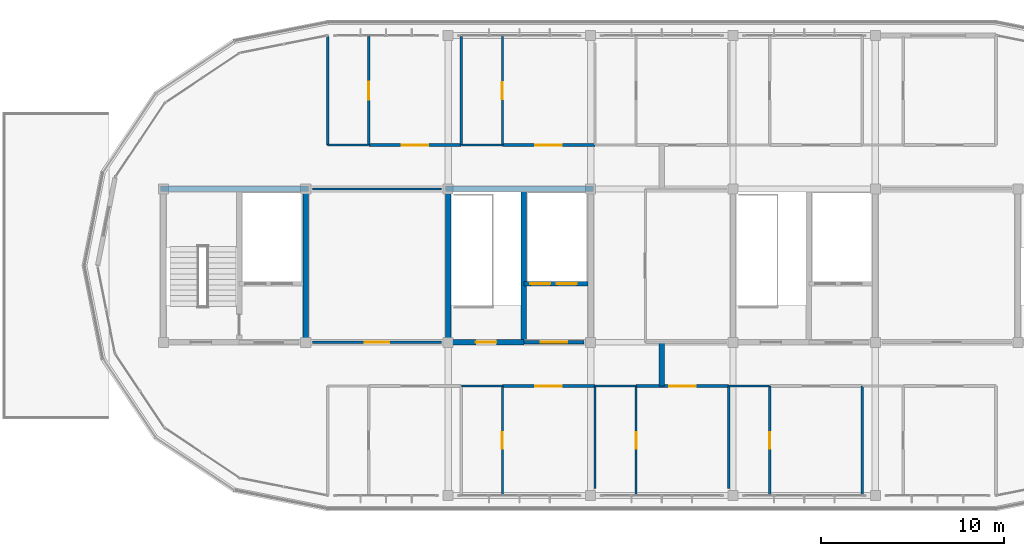
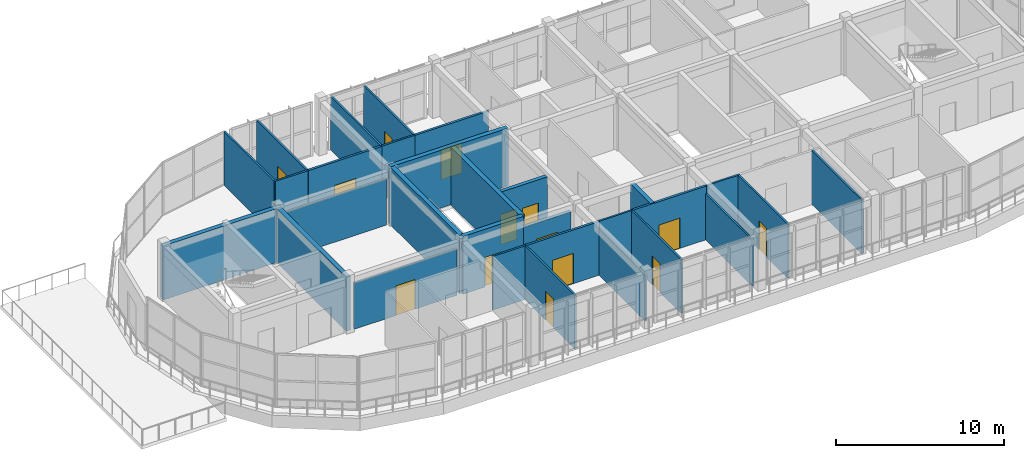
# One storey, part 29 of 33: 30 walls, 14 doors, 14 openings.
"""IFC4 building model written with IfcOpenShell, lengths in metres."""

from ifc_helpers import new_model, si_unit, direction, frame, frame_2d, origin, place, context, subcontext, project, spatial, rectangle, extrude, material, layer, layer_set, type_object, element, fill, save


model = new_model("IFC4")

# Units and contexts
model_context = context("Model", 3, precision=1e-05, world=origin(), true_north=direction((0.0, 1.0)))
body_context = subcontext(model_context, "Body", "Model", "MODEL_VIEW")
ifc_project = project(units=[si_unit("LENGTHUNIT", "METRE"), si_unit("AREAUNIT", "SQUARE_METRE"), si_unit("VOLUMEUNIT", "CUBIC_METRE"), si_unit("PLANEANGLEUNIT", "RADIAN"), si_unit("MASSUNIT", "GRAM", prefix="KILO")], contexts=[model_context])

# Site, building, storey
site_placement = place(None, origin())
site = spatial("IfcSite", under=ifc_project, at=site_placement, CompositionType="ELEMENT")
building_placement = place(site_placement, origin())
building = spatial("IfcBuilding", under=site, at=building_placement, Name="Zizhar Promenade General Hospital", CompositionType="ELEMENT")
storey_placement = place(building_placement, frame((0.0, 0.0, 39.0)))
storey = spatial("IfcBuildingStorey", under=building, at=storey_placement, Name="L09", CompositionType="ELEMENT", Elevation=39.0)

# Wall
ifc_material_1 = material(Name="Concrete C35/45", Category="concrete")
ifc_layer_1 = layer(ifc_material_1, 0.284912109375)
ifc_layer_set_1 = layer_set([ifc_layer_1], Name="Concrete C35/45")
wall_type_1 = type_object("IfcWallType", Name="IW-COMP-285", PredefinedType="STANDARD", material=ifc_layer_set_1)
wall_1_placement = place(storey_placement, frame((74.10009765625, 6.0, 0.0), z_axis=(0.0, 0.0, 1.0), x_axis=(0.0, 1.0, 0.0)))
element("IfcWall", 1, at=wall_1_placement, inside=storey, type_object=wall_type_1, Name="Horizontal Fire Compartment Wall South (L09)", PredefinedType="STANDARD", context=body_context, shape_type="SweptSolid", body=[
    extrude(rectangle(XDim=2.39990234375, YDim=0.284912109375, at=frame_2d((1.199951171875, 0.0))), origin(), (0.0, 0.0, 1.0), 3.89990234375),
])

# Wall, opening, door
ifc_material_2 = material(Name="Concrete C35/45", Category="concrete")
ifc_layer_2 = layer(ifc_material_2, 0.215087890625)
ifc_layer_set_2 = layer_set([ifc_layer_2], Name="Concrete C35/45")
wall_type_2 = type_object("IfcWallType", Name="IW-LOBBY-215", PredefinedType="STANDARD", material=ifc_layer_set_2)
wall_2_placement = place(storey_placement, frame((66.550048828125, 8.39990234375, 0.0), z_axis=(0.0, 0.0, 1.0), x_axis=(1.0, 0.0, 0.0)))
wall_2 = element("IfcWall", 2, at=wall_2_placement, inside=storey, type_object=wall_type_2, Name="Core C3 Lift Lobby South Fire Wall (L09)", PredefinedType="STANDARD", context=body_context, shape_type="SweptSolid", body=[
    extrude(rectangle(XDim=3.2900390625, YDim=0.215087890625, at=frame_2d((1.64501953125, 0.0))), origin(), (0.0, 0.0, 1.0), 3.3701171875),
])
opening_1_placement = place(wall_2_placement, frame((0.925048828125, 0.0, 0.0)))
opening_1 = element("IfcOpeningElement", 3, at=opening_1_placement, cuts=wall_2, Name="Opening D-23", PredefinedType="OPENING", context=body_context, shape_type="SweptSolid", body=[
    extrude(rectangle(XDim=1.43994140625, YDim=2.199951171875, at=frame_2d((0.719970703125, 1.10009765625))), frame((0.0, 0.11767578125, 0.0), z_axis=(0.0, -1.0, 0.0), x_axis=(1.0, 0.0, 0.0)), (0.0, 0.0, 1.0), 0.235107421875),
])
ifc_material_3 = material(Name="Fire-rated timber lift lobby pair", Category="wood")
door_type_1 = type_object("IfcDoorType", Name="DR-LOBBY-PR-144x220", OperationType="DOUBLE_DOOR_SINGLE_SWING", PredefinedType="DOOR", material=ifc_material_3)
door_1_placement = place(opening_1_placement, origin())
door_1 = element("IfcDoor", 4, at=door_1_placement, inside=storey, type_object=door_type_1, Name="Core C3 Protected Lift Lobby Door (L09)", OperationType="DOUBLE_DOOR_SINGLE_SWING", OverallHeight=2.199951171875, OverallWidth=1.43994140625, PredefinedType="DOOR", context=body_context, shape_type="SweptSolid", body=[
    extrude(rectangle(XDim=1.43994140625, YDim=2.199951171875, at=frame_2d((0.719970703125, 1.10009765625))), frame((0.0, 0.02490234375, 0.0), z_axis=(0.0, -1.0, 0.0), x_axis=(1.0, 0.0, 0.0)), (0.0, 0.0, 1.0), 0.050048828125),
])
fill(opening_1, door_1)

# Wall, openings, doors
ifc_material_4 = material(Name="Concrete C35/45", Category="concrete")
ifc_layer_3 = layer(ifc_material_4, 0.25)
ifc_layer_set_3 = layer_set([ifc_layer_3], Name="Concrete C35/45")
wall_type_3 = type_object("IfcWallType", Name="IW-SHAFT-250", PredefinedType="STANDARD", material=ifc_layer_set_3)
wall_3_placement = place(storey_placement, frame((66.550048828125, 11.60009765625, 0.0), z_axis=(0.0, 0.0, 1.0), x_axis=(1.0, 0.0, 0.0)))
wall_3 = element("IfcWall", 5, at=wall_3_placement, inside=storey, type_object=wall_type_3, Name="Core C3 Lift Shaft Landing Wall (L09)", PredefinedType="STANDARD", context=body_context, shape_type="SweptSolid", body=[
    extrude(rectangle(XDim=3.5, YDim=0.25, at=frame_2d((1.75, 0.0))), origin(), (0.0, 0.0, 1.0), 3.89990234375),
])
opening_2_placement = place(wall_3_placement, frame((0.35009765625, 0.0, 0.0)))
opening_2 = element("IfcOpeningElement", 6, at=opening_2_placement, cuts=wall_3, Name="Opening LD-11", PredefinedType="OPENING", context=body_context, shape_type="SweptSolid", body=[
    extrude(rectangle(XDim=1.10009765625, YDim=2.199951171875, at=frame_2d((0.550048828125, 1.10009765625))), frame((0.0, 0.135009765625, 0.0), z_axis=(0.0, -1.0, 0.0), x_axis=(1.0, 0.0, 0.0)), (0.0, 0.0, 1.0), 0.27001953125),
])
opening_3_placement = place(wall_3_placement, frame((1.800048828125, 0.0, 0.0)))
opening_3 = element("IfcOpeningElement", 7, at=opening_3_placement, cuts=wall_3, Name="Opening LD-11", PredefinedType="OPENING", context=body_context, shape_type="SweptSolid", body=[
    extrude(rectangle(XDim=1.10009765625, YDim=2.199951171875, at=frame_2d((0.550048828125, 1.10009765625))), frame((0.0, 0.135009765625, 0.0), z_axis=(0.0, -1.0, 0.0), x_axis=(1.0, 0.0, 0.0)), (0.0, 0.0, 1.0), 0.27001953125),
])
ifc_material_5 = material(Name="Stainless Steel S355 passenger lift landing door", Category="steel")
door_type_2 = type_object("IfcDoorType", Name="DR-LIFT-LD11", OperationType="SLIDING_TO_LEFT", PredefinedType="DOOR", material=ifc_material_5)
door_2_placement = place(opening_2_placement, origin())
door_2 = element("IfcDoor", 8, at=door_2_placement, inside=storey, type_object=door_type_2, Name="Lift LB-02 Sliding Landing Door (L09)", OperationType="SLIDING_TO_LEFT", OverallHeight=2.199951171875, OverallWidth=1.10009765625, PredefinedType="DOOR", context=body_context, shape_type="SweptSolid", body=[
    extrude(rectangle(XDim=1.10009765625, YDim=2.199951171875, at=frame_2d((0.550048828125, 1.10009765625))), frame((0.0, 0.02490234375, 0.0), z_axis=(0.0, -1.0, 0.0), x_axis=(1.0, 0.0, 0.0)), (0.0, 0.0, 1.0), 0.050048828125),
])
fill(opening_2, door_2)
door_3_placement = place(opening_3_placement, origin())
door_3 = element("IfcDoor", 9, at=door_3_placement, inside=storey, type_object=door_type_2, Name="Lift LP-02 Sliding Landing Door (L09)", OperationType="SLIDING_TO_LEFT", OverallHeight=2.199951171875, OverallWidth=1.10009765625, PredefinedType="DOOR", context=body_context, shape_type="SweptSolid", body=[
    extrude(rectangle(XDim=1.10009765625, YDim=2.199951171875, at=frame_2d((0.550048828125, 1.10009765625))), frame((0.0, 0.02490234375, 0.0), z_axis=(0.0, -1.0, 0.0), x_axis=(1.0, 0.0, 0.0)), (0.0, 0.0, 1.0), 0.050048828125),
])
fill(opening_3, door_3)

# Wall, opening, door
ifc_material_6 = material(Name="Clean utility gypsum partition")
ifc_layer_4 = layer(ifc_material_6, 0.114990234375)
ifc_layer_set_4 = layer_set([ifc_layer_4], Name="Clean utility gypsum partition")
wall_type_4 = type_object("IfcWallType", Name="IW-STR-115", PredefinedType="PARTITIONING", material=ifc_layer_set_4)
wall_4_placement = place(storey_placement, frame((54.9599609375, 8.39990234375, 0.0), z_axis=(0.0, 0.0, 1.0), x_axis=(1.0, 0.0, 0.0)))
wall_4 = element("IfcWall", 10, at=wall_4_placement, inside=storey, type_object=wall_type_4, Name="Nurse Station and Medication Room L09 S Partition", PredefinedType="PARTITIONING", context=body_context, shape_type="SweptSolid", body=[
    extrude(rectangle(XDim=7.080078125, YDim=0.114990234375, at=frame_2d((3.5400390625, 0.0))), origin(), (0.0, 0.0, 1.0), 3.3701171875),
])
opening_4_placement = place(wall_4_placement, frame((2.8798828125, 0.0, 0.0)))
opening_4 = element("IfcOpeningElement", 11, at=opening_4_placement, cuts=wall_4, Name="Opening D-26", PredefinedType="OPENING", context=body_context, shape_type="SweptSolid", body=[
    extrude(rectangle(XDim=1.320068359375, YDim=2.14990234375, at=frame_2d((0.66015625, 1.074951171875))), frame((0.0, 0.0673828125, 0.0), z_axis=(0.0, -1.0, 0.0), x_axis=(1.0, 0.0, 0.0)), (0.0, 0.0, 1.0), 0.135009765625),
])
ifc_material_7 = material(Name="Fire-rated timber store leaf", Category="wood")
door_type_3 = type_object("IfcDoorType", Name="DR-STORE-132x215", OperationType="NOTDEFINED", PredefinedType="DOOR", material=ifc_material_7)
door_4_placement = place(opening_4_placement, origin())
door_4 = element("IfcDoor", 12, at=door_4_placement, inside=storey, type_object=door_type_3, Name="Nurse Station and Medication Room L09 Door", OperationType="SINGLE_SWING_RIGHT", OverallHeight=2.14990234375, OverallWidth=1.320068359375, PredefinedType="DOOR", context=body_context, shape_type="SweptSolid", body=[
    extrude(rectangle(XDim=1.320068359375, YDim=2.14990234375, at=frame_2d((0.66015625, 1.074951171875))), frame((0.0, 0.02490234375, 0.0), z_axis=(0.0, -1.0, 0.0), x_axis=(1.0, 0.0, 0.0)), (0.0, 0.0, 1.0), 0.050048828125),
])
fill(opening_4, door_4)

# Wall
wall_5_placement = place(storey_placement, frame((54.9599609375, 16.800048828125, 0.0), z_axis=(0.0, 0.0, 1.0), x_axis=(1.0, 0.0, 0.0)))
element("IfcWall", 13, at=wall_5_placement, inside=storey, type_object=wall_type_4, Name="Nurse Station and Medication Room L09 N Partition", PredefinedType="PARTITIONING", context=body_context, shape_type="SweptSolid", body=[
    extrude(rectangle(XDim=7.080078125, YDim=0.114990234375, at=frame_2d((3.5400390625, 0.0))), origin(), (0.0, 0.0, 1.0), 3.3701171875),
])

# Wall, opening, door
ifc_material_8 = material(Name="Acoustic patient bedroom partition")
ifc_layer_5 = layer(ifc_material_8, 0.155029296875)
ifc_layer_set_5 = layer_set([ifc_layer_5], Name="Acoustic patient bedroom partition")
wall_type_5 = type_object("IfcWallType", Name="IW-WARD-155", PredefinedType="PARTITIONING", material=ifc_layer_set_5)
wall_6_placement = place(storey_placement, frame((58.06005859375, 19.199951171875, 0.0), z_axis=(0.0, 0.0, 1.0), x_axis=(1.0, 0.0, 0.0)))
wall_6 = element("IfcWall", 14, at=wall_6_placement, inside=storey, type_object=wall_type_5, Name="Oncology Isolation Ward L09-N01 S Partition", PredefinedType="PARTITIONING", context=body_context, shape_type="SweptSolid", body=[
    extrude(rectangle(XDim=5.050048828125, YDim=0.155029296875, at=frame_2d((2.52490234375, 0.0))), origin(), (0.0, 0.0, 1.0), 3.89990234375),
])
opening_5_placement = place(wall_6_placement, frame((1.800048828125, 0.0, 0.0)))
opening_5 = element("IfcOpeningElement", 15, at=opening_5_placement, cuts=wall_6, Name="Opening D-07", PredefinedType="OPENING", context=body_context, shape_type="SweptSolid", body=[
    extrude(rectangle(XDim=1.449951171875, YDim=2.199951171875, at=frame_2d((0.72509765625, 1.10009765625))), frame((0.0, 0.08740234375, 0.0), z_axis=(0.0, -1.0, 0.0), x_axis=(1.0, 0.0, 0.0)), (0.0, 0.0, 1.0), 0.175048828125),
])
ifc_material_9 = material(Name="Fire-rated timber airlock bed leaf", Category="wood")
door_type_4 = type_object("IfcDoorType", Name="DR-BED-ISO-145x220", OperationType="NOTDEFINED", PredefinedType="DOOR", material=ifc_material_9)
door_5_placement = place(opening_5_placement, origin())
door_5 = element("IfcDoor", 16, at=door_5_placement, inside=storey, type_object=door_type_4, Name="Oncology Isolation Ward L09-N01 Door", OperationType="SINGLE_SWING_LEFT", OverallHeight=2.199951171875, OverallWidth=1.449951171875, PredefinedType="DOOR", context=body_context, shape_type="SweptSolid", body=[
    extrude(rectangle(XDim=1.449951171875, YDim=2.199951171875, at=frame_2d((0.72509765625, 1.10009765625))), frame((0.0, 0.02490234375, 0.0), z_axis=(0.0, -1.0, 0.0), x_axis=(1.0, 0.0, 0.0)), (0.0, 0.0, 1.0), 0.050048828125),
])
fill(opening_5, door_5)

wall_7_placement = place(storey_placement, frame((65.3798828125, 6.0, 0.0), z_axis=(0.0, 0.0, 1.0), x_axis=(1.0, 0.0, 0.0)))
wall_7 = element("IfcWall", 17, at=wall_7_placement, inside=storey, type_object=wall_type_5, Name="Haematology Protective Isolation Ward L09-S02 N Partition", PredefinedType="PARTITIONING", context=body_context, shape_type="SweptSolid", body=[
    extrude(rectangle(XDim=5.050048828125, YDim=0.155029296875, at=frame_2d((2.52490234375, 0.0))), origin(), (0.0, 0.0, 1.0), 3.89990234375),
])
opening_6_placement = place(wall_7_placement, frame((1.800048828125, 0.0, 0.0)))
opening_6 = element("IfcOpeningElement", 18, at=opening_6_placement, cuts=wall_7, Name="Opening D-07", PredefinedType="OPENING", context=body_context, shape_type="SweptSolid", body=[
    extrude(rectangle(XDim=1.449951171875, YDim=2.199951171875, at=frame_2d((0.72509765625, 1.10009765625))), frame((0.0, 0.08740234375, 0.0), z_axis=(0.0, -1.0, 0.0), x_axis=(1.0, 0.0, 0.0)), (0.0, 0.0, 1.0), 0.175048828125),
])
door_6_placement = place(opening_6_placement, origin())
door_6 = element("IfcDoor", 19, at=door_6_placement, inside=storey, type_object=door_type_4, Name="Haematology Protective Isolation Ward L09-S02 Door", OperationType="SINGLE_SWING_RIGHT", OverallHeight=2.199951171875, OverallWidth=1.449951171875, PredefinedType="DOOR", context=body_context, shape_type="SweptSolid", body=[
    extrude(rectangle(XDim=1.449951171875, YDim=2.199951171875, at=frame_2d((0.72509765625, 1.10009765625))), frame((0.0, 0.02490234375, 0.0), z_axis=(0.0, -1.0, 0.0), x_axis=(1.0, 0.0, 0.0)), (0.0, 0.0, 1.0), 0.050048828125),
])
fill(opening_6, door_6)

wall_8_placement = place(storey_placement, frame((65.3798828125, 19.199951171875, 0.0), z_axis=(0.0, 0.0, 1.0), x_axis=(1.0, 0.0, 0.0)))
wall_8 = element("IfcWall", 20, at=wall_8_placement, inside=storey, type_object=wall_type_5, Name="Haematology Protective Isolation Ward L09-N02 S Partition", PredefinedType="PARTITIONING", context=body_context, shape_type="SweptSolid", body=[
    extrude(rectangle(XDim=5.050048828125, YDim=0.155029296875, at=frame_2d((2.52490234375, 0.0))), origin(), (0.0, 0.0, 1.0), 3.89990234375),
])
opening_7_placement = place(wall_8_placement, frame((1.800048828125, 0.0, 0.0)))
opening_7 = element("IfcOpeningElement", 21, at=opening_7_placement, cuts=wall_8, Name="Opening D-07", PredefinedType="OPENING", context=body_context, shape_type="SweptSolid", body=[
    extrude(rectangle(XDim=1.449951171875, YDim=2.199951171875, at=frame_2d((0.72509765625, 1.10009765625))), frame((0.0, 0.08740234375, 0.0), z_axis=(0.0, -1.0, 0.0), x_axis=(1.0, 0.0, 0.0)), (0.0, 0.0, 1.0), 0.175048828125),
])
door_7_placement = place(opening_7_placement, origin())
door_7 = element("IfcDoor", 22, at=door_7_placement, inside=storey, type_object=door_type_4, Name="Haematology Protective Isolation Ward L09-N02 Door", OperationType="SINGLE_SWING_LEFT", OverallHeight=2.199951171875, OverallWidth=1.449951171875, PredefinedType="DOOR", context=body_context, shape_type="SweptSolid", body=[
    extrude(rectangle(XDim=1.449951171875, YDim=2.199951171875, at=frame_2d((0.72509765625, 1.10009765625))), frame((0.0, 0.02490234375, 0.0), z_axis=(0.0, -1.0, 0.0), x_axis=(1.0, 0.0, 0.0)), (0.0, 0.0, 1.0), 0.050048828125),
])
fill(opening_7, door_7)

wall_9_placement = place(storey_placement, frame((72.699951171875, 6.0, 0.0), z_axis=(0.0, 0.0, 1.0), x_axis=(1.0, 0.0, 0.0)))
wall_9 = element("IfcWall", 23, at=wall_9_placement, inside=storey, type_object=wall_type_5, Name="Oncology Isolation Ward L09-S03 N Partition", PredefinedType="PARTITIONING", context=body_context, shape_type="SweptSolid", body=[
    extrude(rectangle(XDim=5.050048828125, YDim=0.155029296875, at=frame_2d((2.52490234375, 0.0))), origin(), (0.0, 0.0, 1.0), 3.89990234375),
])
opening_8_placement = place(wall_9_placement, frame((1.800048828125, 0.0, 0.0)))
opening_8 = element("IfcOpeningElement", 24, at=opening_8_placement, cuts=wall_9, Name="Opening D-07", PredefinedType="OPENING", context=body_context, shape_type="SweptSolid", body=[
    extrude(rectangle(XDim=1.449951171875, YDim=2.199951171875, at=frame_2d((0.72509765625, 1.10009765625))), frame((0.0, 0.08740234375, 0.0), z_axis=(0.0, -1.0, 0.0), x_axis=(1.0, 0.0, 0.0)), (0.0, 0.0, 1.0), 0.175048828125),
])
door_8_placement = place(opening_8_placement, origin())
door_8 = element("IfcDoor", 25, at=door_8_placement, inside=storey, type_object=door_type_4, Name="Oncology Isolation Ward L09-S03 Door", OperationType="SINGLE_SWING_RIGHT", OverallHeight=2.199951171875, OverallWidth=1.449951171875, PredefinedType="DOOR", context=body_context, shape_type="SweptSolid", body=[
    extrude(rectangle(XDim=1.449951171875, YDim=2.199951171875, at=frame_2d((0.72509765625, 1.10009765625))), frame((0.0, 0.02490234375, 0.0), z_axis=(0.0, -1.0, 0.0), x_axis=(1.0, 0.0, 0.0)), (0.0, 0.0, 1.0), 0.050048828125),
])
fill(opening_8, door_8)

# Walls
ifc_material_10 = material(Name="Moisture-resistant en-suite wet partition")
ifc_layer_6 = layer(ifc_material_10, 0.125)
ifc_layer_set_6 = layer_set([ifc_layer_6], Name="Moisture-resistant en-suite wet partition")
wall_type_6 = type_object("IfcWallType", Name="IW-WET-125", PredefinedType="PARTITIONING", material=ifc_layer_set_6)
wall_10_placement = place(storey_placement, frame((55.800048828125, 19.199951171875, 0.0), z_axis=(0.0, 0.0, 1.0), x_axis=(1.0, 0.0, 0.0)))
element("IfcWall", 26, at=wall_10_placement, inside=storey, type_object=wall_type_6, Name="En-Suite Patient Bathroom L09-N01 S Partition", PredefinedType="PARTITIONING", context=body_context, shape_type="SweptSolid", body=[
    extrude(rectangle(XDim=2.25, YDim=0.125, at=frame_2d((1.125, 0.0))), origin(), (0.0, 0.0, 1.0), 3.89990234375),
])
wall_11_placement = place(storey_placement, frame((55.800048828125, 19.199951171875, 0.0), z_axis=(0.0, 0.0, 1.0), x_axis=(0.0, 1.0, 0.0)))
element("IfcWall", 27, at=wall_11_placement, inside=storey, type_object=wall_type_6, Name="En-Suite Patient Bathroom L09-N01 W Partition", PredefinedType="PARTITIONING", context=body_context, shape_type="SweptSolid", body=[
    extrude(rectangle(XDim=5.955078125, YDim=0.125, at=frame_2d((2.9775390625, 0.0))), origin(), (0.0, 0.0, 1.0), 3.89990234375),
])

# Wall, opening, door
wall_12_placement = place(storey_placement, frame((58.050048828125, 19.199951171875, 0.0), z_axis=(0.0, 0.0, 1.0), x_axis=(0.0, 1.0, 0.0)))
wall_12 = element("IfcWall", 28, at=wall_12_placement, inside=storey, type_object=wall_type_6, Name="En-Suite Patient Bathroom L09-N01 E Partition", PredefinedType="PARTITIONING", context=body_context, shape_type="SweptSolid", body=[
    extrude(rectangle(XDim=5.955078125, YDim=0.125, at=frame_2d((2.9775390625, 0.0))), origin(), (0.0, 0.0, 1.0), 3.89990234375),
])
opening_9_placement = place(wall_12_placement, frame((2.487548828125, 0.0, 0.0)))
opening_9 = element("IfcOpeningElement", 29, at=opening_9_placement, cuts=wall_12, Name="Opening D-17", PredefinedType="OPENING", context=body_context, shape_type="SweptSolid", body=[
    extrude(rectangle(XDim=0.97998046875, YDim=2.10009765625, at=frame_2d((0.489990234375, 1.050048828125))), frame((0.0, 0.072509765625, 0.0), z_axis=(0.0, -1.0, 0.0), x_axis=(1.0, 0.0, 0.0)), (0.0, 0.0, 1.0), 0.14501953125),
])
ifc_material_11 = material(Name="Moisture-resistant timber PMR leaf", Category="wood")
door_type_5 = type_object("IfcDoorType", Name="DR-ENS-PMR-098x210", OperationType="NOTDEFINED", PredefinedType="DOOR", material=ifc_material_11)
door_9_placement = place(opening_9_placement, origin())
door_9 = element("IfcDoor", 30, at=door_9_placement, inside=storey, type_object=door_type_5, Name="En-Suite Patient Bathroom L09-N01 Door", OperationType="SINGLE_SWING_LEFT", OverallHeight=2.10009765625, OverallWidth=0.97998046875, PredefinedType="DOOR", context=body_context, shape_type="SweptSolid", body=[
    extrude(rectangle(XDim=0.97998046875, YDim=2.10009765625, at=frame_2d((0.489990234375, 1.050048828125))), frame((0.0, 0.02490234375, 0.0), z_axis=(0.0, -1.0, 0.0), x_axis=(1.0, 0.0, 0.0)), (0.0, 0.0, 1.0), 0.050048828125),
])
fill(opening_9, door_9)

# Wall
wall_13_placement = place(storey_placement, frame((63.1201171875, 6.0, 0.0), z_axis=(0.0, 0.0, 1.0), x_axis=(1.0, 0.0, 0.0)))
element("IfcWall", 31, at=wall_13_placement, inside=storey, type_object=wall_type_6, Name="En-Suite Patient Bathroom L09-S02 N Partition", PredefinedType="PARTITIONING", context=body_context, shape_type="SweptSolid", body=[
    extrude(rectangle(XDim=2.25, YDim=0.125, at=frame_2d((1.125, 0.0))), origin(), (0.0, 0.0, 1.0), 3.89990234375),
])

# Wall, opening, door
wall_14_placement = place(storey_placement, frame((65.3701171875, 0.044921875, 0.0), z_axis=(0.0, 0.0, 1.0), x_axis=(0.0, 1.0, 0.0)))
wall_14 = element("IfcWall", 32, at=wall_14_placement, inside=storey, type_object=wall_type_6, Name="En-Suite Patient Bathroom L09-S02 E Partition", PredefinedType="PARTITIONING", context=body_context, shape_type="SweptSolid", body=[
    extrude(rectangle(XDim=5.955078125, YDim=0.125, at=frame_2d((2.9775390625, 0.0))), origin(), (0.0, 0.0, 1.0), 3.89990234375),
])
opening_10_placement = place(wall_14_placement, frame((2.517578125, 0.0, 0.0)))
opening_10 = element("IfcOpeningElement", 33, at=opening_10_placement, cuts=wall_14, Name="Opening D-18", PredefinedType="OPENING", context=body_context, shape_type="SweptSolid", body=[
    extrude(rectangle(XDim=0.919921875, YDim=2.10009765625, at=frame_2d((0.4599609375, 1.050048828125))), frame((0.0, 0.072509765625, 0.0), z_axis=(0.0, -1.0, 0.0), x_axis=(1.0, 0.0, 0.0)), (0.0, 0.0, 1.0), 0.14501953125),
])
ifc_material_12 = material(Name="Moisture-resistant timber en-suite leaf", Category="wood")
door_type_6 = type_object("IfcDoorType", Name="DR-ENS-STD-092x210", OperationType="NOTDEFINED", PredefinedType="DOOR", material=ifc_material_12)
door_10_placement = place(opening_10_placement, origin())
door_10 = element("IfcDoor", 34, at=door_10_placement, inside=storey, type_object=door_type_6, Name="En-Suite Patient Bathroom L09-S02 Door", OperationType="SINGLE_SWING_RIGHT", OverallHeight=2.10009765625, OverallWidth=0.919921875, PredefinedType="DOOR", context=body_context, shape_type="SweptSolid", body=[
    extrude(rectangle(XDim=0.919921875, YDim=2.10009765625, at=frame_2d((0.4599609375, 1.050048828125))), frame((0.0, 0.02490234375, 0.0), z_axis=(0.0, -1.0, 0.0), x_axis=(1.0, 0.0, 0.0)), (0.0, 0.0, 1.0), 0.050048828125),
])
fill(opening_10, door_10)

# Walls
wall_15_placement = place(storey_placement, frame((63.1201171875, 19.199951171875, 0.0), z_axis=(0.0, 0.0, 1.0), x_axis=(1.0, 0.0, 0.0)))
element("IfcWall", 35, at=wall_15_placement, inside=storey, type_object=wall_type_6, Name="En-Suite Patient Bathroom L09-N02 S Partition", PredefinedType="PARTITIONING", context=body_context, shape_type="SweptSolid", body=[
    extrude(rectangle(XDim=2.25, YDim=0.125, at=frame_2d((1.125, 0.0))), origin(), (0.0, 0.0, 1.0), 3.89990234375),
])
wall_16_placement = place(storey_placement, frame((63.1201171875, 19.199951171875, 0.0), z_axis=(0.0, 0.0, 1.0), x_axis=(0.0, 1.0, 0.0)))
element("IfcWall", 36, at=wall_16_placement, inside=storey, type_object=wall_type_6, Name="En-Suite Patient Bathroom L09-N02 W Partition", PredefinedType="PARTITIONING", context=body_context, shape_type="SweptSolid", body=[
    extrude(rectangle(XDim=5.955078125, YDim=0.125, at=frame_2d((2.9775390625, 0.0))), origin(), (0.0, 0.0, 1.0), 3.89990234375),
])

# Wall, opening, door
wall_17_placement = place(storey_placement, frame((65.3701171875, 19.199951171875, 0.0), z_axis=(0.0, 0.0, 1.0), x_axis=(0.0, 1.0, 0.0)))
wall_17 = element("IfcWall", 37, at=wall_17_placement, inside=storey, type_object=wall_type_6, Name="En-Suite Patient Bathroom L09-N02 E Partition", PredefinedType="PARTITIONING", context=body_context, shape_type="SweptSolid", body=[
    extrude(rectangle(XDim=5.955078125, YDim=0.125, at=frame_2d((2.9775390625, 0.0))), origin(), (0.0, 0.0, 1.0), 3.89990234375),
])
opening_11_placement = place(wall_17_placement, frame((2.517578125, 0.0, 0.0)))
opening_11 = element("IfcOpeningElement", 38, at=opening_11_placement, cuts=wall_17, Name="Opening D-18", PredefinedType="OPENING", context=body_context, shape_type="SweptSolid", body=[
    extrude(rectangle(XDim=0.919921875, YDim=2.10009765625, at=frame_2d((0.4599609375, 1.050048828125))), frame((0.0, 0.072509765625, 0.0), z_axis=(0.0, -1.0, 0.0), x_axis=(1.0, 0.0, 0.0)), (0.0, 0.0, 1.0), 0.14501953125),
])
door_11_placement = place(opening_11_placement, origin())
door_11 = element("IfcDoor", 39, at=door_11_placement, inside=storey, type_object=door_type_6, Name="En-Suite Patient Bathroom L09-N02 Door", OperationType="SINGLE_SWING_LEFT", OverallHeight=2.10009765625, OverallWidth=0.919921875, PredefinedType="DOOR", context=body_context, shape_type="SweptSolid", body=[
    extrude(rectangle(XDim=0.919921875, YDim=2.10009765625, at=frame_2d((0.4599609375, 1.050048828125))), frame((0.0, 0.02490234375, 0.0), z_axis=(0.0, -1.0, 0.0), x_axis=(1.0, 0.0, 0.0)), (0.0, 0.0, 1.0), 0.050048828125),
])
fill(opening_11, door_11)

# Walls
wall_18_placement = place(storey_placement, frame((70.43994140625, 6.0, 0.0), z_axis=(0.0, 0.0, 1.0), x_axis=(1.0, 0.0, 0.0)))
element("IfcWall", 40, at=wall_18_placement, inside=storey, type_object=wall_type_6, Name="En-Suite Patient Bathroom L09-S03 N Partition", PredefinedType="PARTITIONING", context=body_context, shape_type="SweptSolid", body=[
    extrude(rectangle(XDim=2.25, YDim=0.125, at=frame_2d((1.125, 0.0))), origin(), (0.0, 0.0, 1.0), 3.89990234375),
])
wall_19_placement = place(storey_placement, frame((70.43994140625, 0.405029296875, 0.0), z_axis=(0.0, 0.0, 1.0), x_axis=(0.0, 1.0, 0.0)))
element("IfcWall", 41, at=wall_19_placement, inside=storey, type_object=wall_type_6, Name="En-Suite Patient Bathroom L09-S03 W Partition", PredefinedType="PARTITIONING", context=body_context, shape_type="SweptSolid", body=[
    extrude(rectangle(XDim=5.594970703125, YDim=0.125, at=frame_2d((2.79736328125, 0.0))), origin(), (0.0, 0.0, 1.0), 3.35498046875),
])

# Wall, opening, door
wall_20_placement = place(storey_placement, frame((72.68994140625, 0.044921875, 0.0), z_axis=(0.0, 0.0, 1.0), x_axis=(0.0, 1.0, 0.0)))
wall_20 = element("IfcWall", 42, at=wall_20_placement, inside=storey, type_object=wall_type_6, Name="En-Suite Patient Bathroom L09-S03 E Partition", PredefinedType="PARTITIONING", context=body_context, shape_type="SweptSolid", body=[
    extrude(rectangle(XDim=5.955078125, YDim=0.125, at=frame_2d((2.9775390625, 0.0))), origin(), (0.0, 0.0, 1.0), 3.89990234375),
])
opening_12_placement = place(wall_20_placement, frame((2.517578125, 0.0, 0.0)))
opening_12 = element("IfcOpeningElement", 43, at=opening_12_placement, cuts=wall_20, Name="Opening D-18", PredefinedType="OPENING", context=body_context, shape_type="SweptSolid", body=[
    extrude(rectangle(XDim=0.919921875, YDim=2.10009765625, at=frame_2d((0.4599609375, 1.050048828125))), frame((0.0, 0.072509765625, 0.0), z_axis=(0.0, -1.0, 0.0), x_axis=(1.0, 0.0, 0.0)), (0.0, 0.0, 1.0), 0.14501953125),
])
door_12_placement = place(opening_12_placement, origin())
door_12 = element("IfcDoor", 44, at=door_12_placement, inside=storey, type_object=door_type_6, Name="En-Suite Patient Bathroom L09-S03 Door", OperationType="SINGLE_SWING_RIGHT", OverallHeight=2.10009765625, OverallWidth=0.919921875, PredefinedType="DOOR", context=body_context, shape_type="SweptSolid", body=[
    extrude(rectangle(XDim=0.919921875, YDim=2.10009765625, at=frame_2d((0.4599609375, 1.050048828125))), frame((0.0, 0.02490234375, 0.0), z_axis=(0.0, -1.0, 0.0), x_axis=(1.0, 0.0, 0.0)), (0.0, 0.0, 1.0), 0.050048828125),
])
fill(opening_12, door_12)

# Walls
wall_21_placement = place(storey_placement, frame((77.760009765625, 6.0, 0.0), z_axis=(0.0, 0.0, 1.0), x_axis=(1.0, 0.0, 0.0)))
element("IfcWall", 45, at=wall_21_placement, inside=storey, type_object=wall_type_6, Name="En-Suite Patient Bathroom L09-S04 N Partition", PredefinedType="PARTITIONING", context=body_context, shape_type="SweptSolid", body=[
    extrude(rectangle(XDim=2.25, YDim=0.125, at=frame_2d((1.125, 0.0))), origin(), (0.0, 0.0, 1.0), 3.89990234375),
])
wall_22_placement = place(storey_placement, frame((77.760009765625, 0.405029296875, 0.0), z_axis=(0.0, 0.0, 1.0), x_axis=(0.0, 1.0, 0.0)))
element("IfcWall", 46, at=wall_22_placement, inside=storey, type_object=wall_type_6, Name="En-Suite Patient Bathroom L09-S04 W Partition", PredefinedType="PARTITIONING", context=body_context, shape_type="SweptSolid", body=[
    extrude(rectangle(XDim=5.594970703125, YDim=0.125, at=frame_2d((2.79736328125, 0.0))), origin(), (0.0, 0.0, 1.0), 3.35498046875),
])

# Wall, opening, door
wall_23_placement = place(storey_placement, frame((80.010009765625, 0.044921875, 0.0), z_axis=(0.0, 0.0, 1.0), x_axis=(0.0, 1.0, 0.0)))
wall_23 = element("IfcWall", 47, at=wall_23_placement, inside=storey, type_object=wall_type_6, Name="En-Suite Patient Bathroom L09-S04 E Partition", PredefinedType="PARTITIONING", context=body_context, shape_type="SweptSolid", body=[
    extrude(rectangle(XDim=5.955078125, YDim=0.125, at=frame_2d((2.9775390625, 0.0))), origin(), (0.0, 0.0, 1.0), 3.89990234375),
])
opening_13_placement = place(wall_23_placement, frame((2.517578125, 0.0, 0.0)))
opening_13 = element("IfcOpeningElement", 48, at=opening_13_placement, cuts=wall_23, Name="Opening D-18", PredefinedType="OPENING", context=body_context, shape_type="SweptSolid", body=[
    extrude(rectangle(XDim=0.919921875, YDim=2.10009765625, at=frame_2d((0.4599609375, 1.050048828125))), frame((0.0, 0.072509765625, 0.0), z_axis=(0.0, -1.0, 0.0), x_axis=(1.0, 0.0, 0.0)), (0.0, 0.0, 1.0), 0.14501953125),
])
door_13_placement = place(opening_13_placement, origin())
door_13 = element("IfcDoor", 49, at=door_13_placement, inside=storey, type_object=door_type_6, Name="En-Suite Patient Bathroom L09-S04 Door", OperationType="SINGLE_SWING_RIGHT", OverallHeight=2.10009765625, OverallWidth=0.919921875, PredefinedType="DOOR", context=body_context, shape_type="SweptSolid", body=[
    extrude(rectangle(XDim=0.919921875, YDim=2.10009765625, at=frame_2d((0.4599609375, 1.050048828125))), frame((0.0, 0.02490234375, 0.0), z_axis=(0.0, -1.0, 0.0), x_axis=(1.0, 0.0, 0.0)), (0.0, 0.0, 1.0), 0.050048828125),
])
fill(opening_13, door_13)

# Walls
wall_24_placement = place(storey_placement, frame((85.080078125, 0.044921875, 0.0), z_axis=(0.0, 0.0, 1.0), x_axis=(0.0, 1.0, 0.0)))
element("IfcWall", 50, at=wall_24_placement, inside=storey, type_object=wall_type_6, Name="En-Suite Patient Bathroom L09-S05 W Partition", PredefinedType="PARTITIONING", context=body_context, shape_type="SweptSolid", body=[
    extrude(rectangle(XDim=5.955078125, YDim=0.125, at=frame_2d((2.9775390625, 0.0))), origin(), (0.0, 0.0, 1.0), 3.89990234375),
])
ifc_material_13 = material(Name="Concrete C40/50", Category="concrete")
ifc_layer_7 = layer(ifc_material_13, 0.300048828125)
ifc_layer_set_7 = layer_set([ifc_layer_7], Name="Concrete C40/50")
wall_type_7 = type_object("IfcWallType", Name="WL-CORE-300", PredefinedType="SHEAR", material=ifc_layer_set_7)
wall_25_placement = place(storey_placement, frame((46.64990234375, 16.800048828125, 0.0), z_axis=(0.0, 0.0, 1.0), x_axis=(1.0, 0.0, 0.0)))
element("IfcWall", 51, at=wall_25_placement, inside=storey, type_object=wall_type_7, Name="Core C2 North Shear Wall L09", PredefinedType="SHEAR", context=body_context, shape_type="SweptSolid", body=[
    extrude(rectangle(XDim=8.10009765625, YDim=0.300048828125, at=frame_2d((4.050048828125, 0.0))), origin(), (0.0, 0.0, 1.0), 3.919921875),
])
wall_26_placement = place(storey_placement, frame((54.60009765625, 8.39990234375, 0.0), z_axis=(0.0, 0.0, 1.0), x_axis=(0.0, 1.0, 0.0)))
element("IfcWall", 52, at=wall_26_placement, inside=storey, type_object=wall_type_7, Name="Core C2 East Shear Wall L09", PredefinedType="SHEAR", context=body_context, shape_type="SweptSolid", body=[
    extrude(rectangle(XDim=8.400146484375, YDim=0.300048828125, at=frame_2d((4.2001953125, 0.0))), origin(), (0.0, 0.0, 1.0), 3.919921875),
])
wall_27_placement = place(storey_placement, frame((62.25, 16.800048828125, 0.0), z_axis=(0.0, 0.0, 1.0), x_axis=(1.0, 0.0, 0.0)))
element("IfcWall", 53, at=wall_27_placement, inside=storey, type_object=wall_type_7, Name="Core C3 North Shear Wall L09", PredefinedType="SHEAR", context=body_context, shape_type="SweptSolid", body=[
    extrude(rectangle(XDim=8.10009765625, YDim=0.300048828125, at=frame_2d((4.050048828125, 0.0))), origin(), (0.0, 0.0, 1.0), 4.199951171875),
])
wall_28_placement = place(storey_placement, frame((62.39990234375, 8.39990234375, 0.0), z_axis=(0.0, 0.0, 1.0), x_axis=(0.0, 1.0, 0.0)))
element("IfcWall", 54, at=wall_28_placement, inside=storey, type_object=wall_type_7, Name="Core C3 West Shear Wall L09", PredefinedType="SHEAR", context=body_context, shape_type="SweptSolid", body=[
    extrude(rectangle(XDim=8.400146484375, YDim=0.300048828125, at=frame_2d((4.2001953125, 0.0))), origin(), (0.0, 0.0, 1.0), 4.199951171875),
])

# Wall, opening, door
wall_29_placement = place(storey_placement, frame((62.39990234375, 8.39990234375, 0.0), z_axis=(0.0, 0.0, 1.0), x_axis=(1.0, 0.0, 0.0)))
wall_29 = element("IfcWall", 55, at=wall_29_placement, inside=storey, type_object=wall_type_7, Name="Core C3 Stair South Fire Wall (L09)", PredefinedType="SHEAR", context=body_context, shape_type="SweptSolid", body=[
    extrude(rectangle(XDim=4.150146484375, YDim=0.300048828125, at=frame_2d((2.0751953125, 0.0))), origin(), (0.0, 0.0, 1.0), 4.199951171875),
])
opening_14_placement = place(wall_29_placement, frame((1.514892578125, 0.0, 0.0)))
opening_14 = element("IfcOpeningElement", 56, at=opening_14_placement, cuts=wall_29, Name="Opening D-21", PredefinedType="OPENING", context=body_context, shape_type="SweptSolid", body=[
    extrude(rectangle(XDim=1.1201171875, YDim=2.14990234375, at=frame_2d((0.56005859375, 1.074951171875))), frame((0.0, 0.16015625, 0.0), z_axis=(0.0, -1.0, 0.0), x_axis=(1.0, 0.0, 0.0)), (0.0, 0.0, 1.0), 0.320068359375),
])
ifc_material_14 = material(Name="Steel S355 protected stair door", Category="steel")
door_type_7 = type_object("IfcDoorType", Name="DR-STAIR-112x215", OperationType="NOTDEFINED", PredefinedType="DOOR", material=ifc_material_14)
door_14_placement = place(opening_14_placement, origin())
door_14 = element("IfcDoor", 57, at=door_14_placement, inside=storey, type_object=door_type_7, Name="Exit Stair ST-03 Door (L09)", OperationType="SINGLE_SWING_RIGHT", OverallHeight=2.14990234375, OverallWidth=1.1201171875, PredefinedType="DOOR", context=body_context, shape_type="SweptSolid", body=[
    extrude(rectangle(XDim=1.1201171875, YDim=2.14990234375, at=frame_2d((0.56005859375, 1.074951171875))), frame((0.0, 0.02490234375, 0.0), z_axis=(0.0, -1.0, 0.0), x_axis=(1.0, 0.0, 0.0)), (0.0, 0.0, 1.0), 0.050048828125),
])
fill(opening_14, door_14)

# Wall
wall_30_placement = place(storey_placement, frame((66.550048828125, 8.39990234375, 0.0), z_axis=(0.0, 0.0, 1.0), x_axis=(0.0, 1.0, 0.0)))
element("IfcWall", 58, at=wall_30_placement, inside=storey, type_object=wall_type_7, Name="Core C3 Stair-Shaft Separation Wall (L09)", PredefinedType="SHEAR", context=body_context, shape_type="SweptSolid", body=[
    extrude(rectangle(XDim=8.400146484375, YDim=0.300048828125, at=frame_2d((4.2001953125, 0.0))), origin(), (0.0, 0.0, 1.0), 4.199951171875),
])

save(model, "model.ifc")
